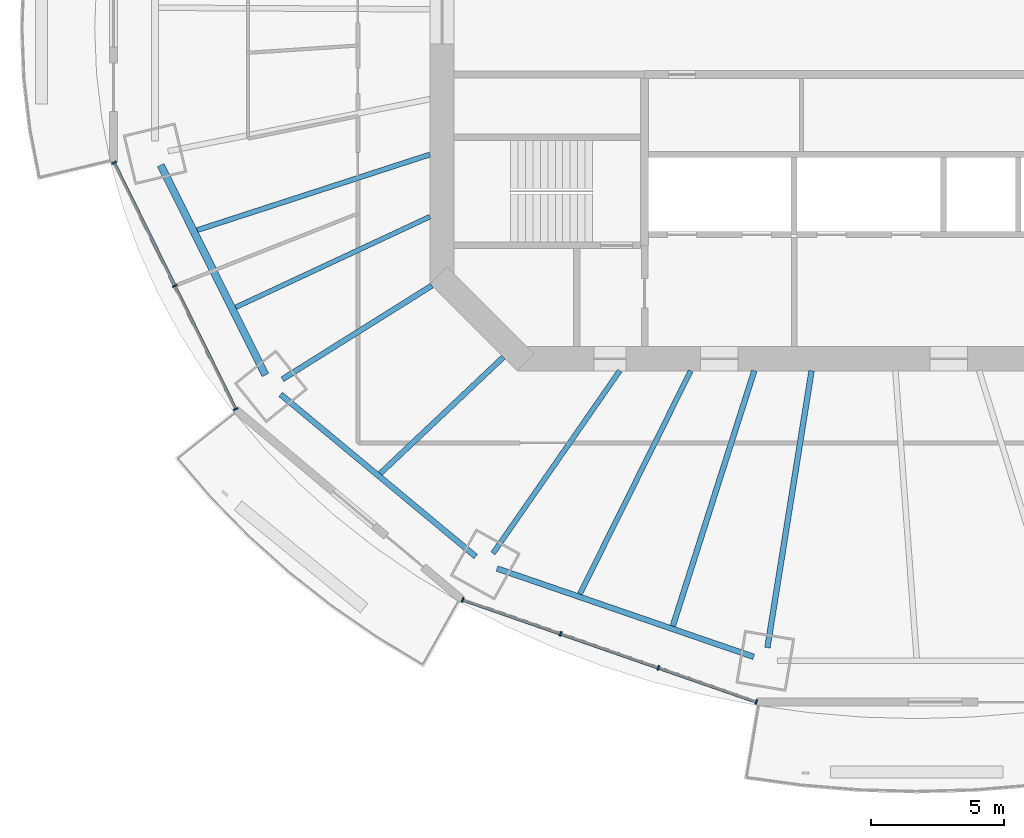
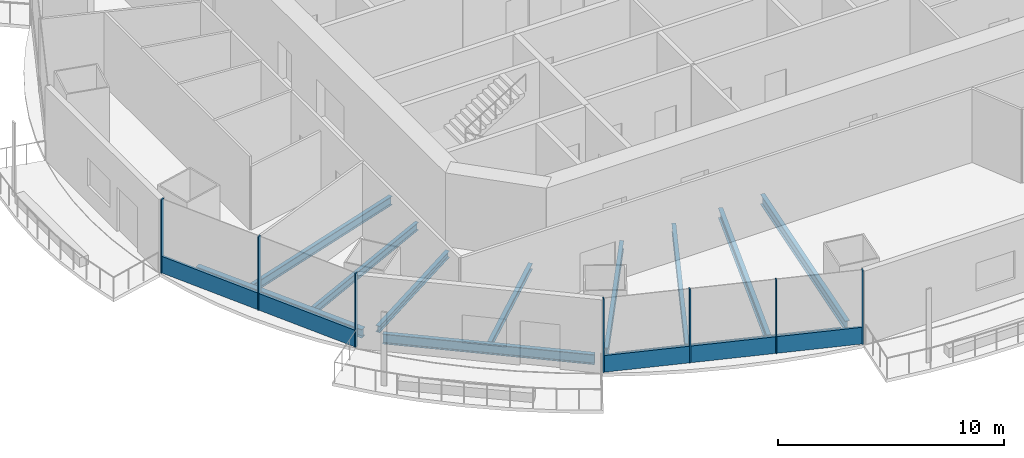
# One storey, part 2 of 19: 11 beams, 9 members, 2 elements without a shape of their own.
"""IFC4 building model written with IfcOpenShell, lengths in metres."""

from ifc_helpers import new_model, si_unit, direction, frame, origin, origin_2d, place, context, subcontext, project, spatial, rectangle, i_section, extrude, material, material_profile, profile_set, type_object, element, aggregate, save


model = new_model("IFC4")

# Units and contexts
model_context = context("Model", 3, precision=1e-05, world=origin(), true_north=direction((0.0, 1.0)))
body_context = subcontext(model_context, "Body", "Model", "MODEL_VIEW")
ifc_project = project(units=[si_unit("LENGTHUNIT", "METRE"), si_unit("AREAUNIT", "SQUARE_METRE"), si_unit("VOLUMEUNIT", "CUBIC_METRE"), si_unit("PLANEANGLEUNIT", "RADIAN"), si_unit("MASSUNIT", "GRAM", prefix="KILO")], contexts=[model_context])

# Site, building, storey
site_placement = place(None, origin())
site = spatial("IfcSite", under=ifc_project, at=site_placement, CompositionType="ELEMENT")
building_placement = place(site_placement, origin())
building = spatial("IfcBuilding", under=site, at=building_placement, Name="Marenthal Gate Tower", CompositionType="ELEMENT")
storey_placement = place(building_placement, frame((0.0, 0.0, 227.449951171875)))
storey = spatial("IfcBuildingStorey", under=building, at=storey_placement, Name="L50", CompositionType="ELEMENT", Elevation=227.449951171875)

# Curtain wall, members
ifc_material_1 = material(Name="Aluminium and glass", Category="aluminium")
curtain_wall_type = type_object("IfcCurtainWallType", Name="Curtain wall typical mid", PredefinedType="NOTDEFINED", material=ifc_material_1)
curtain_wall_1_placement = place(storey_placement, origin())
curtain_wall_1 = element("IfcCurtainWall", 1, at=curtain_wall_1_placement, inside=storey, type_object=curtain_wall_type, Name="Curtain wall L50 bay 9", PredefinedType="NOTDEFINED")
ifc_material_2 = material(Name="Aluminium", Category="aluminium")
ifc_material_profile_1 = material_profile(ifc_material_2, rectangle(XDim=0.179931640625, YDim=0.06005859375, at=origin_2d()), Name="60x180 aluminium mullion")
ifc_profile_set_1 = profile_set([ifc_material_profile_1], Name="Aluminium")
member_type_1 = type_object("IfcMemberType", Name="Mullion 60x180 typical mid", PredefinedType="MULLION", material=ifc_profile_set_1)
member_1_placement = place(storey_placement, frame((-28.284912109375, -5.6533203125, 0.0), z_axis=(0.0, 0.0, 1.0), x_axis=(0.896797507361, 0.442441217329, 0.0)))
member_1 = element("IfcMember", 2, at=member_1_placement, type_object=member_type_1, Name="Mullion L50 bay 9.1", PredefinedType="MULLION", context=body_context, shape_type="SweptSolid", body=[
    extrude(rectangle(XDim=0.179931640625, YDim=0.06005859375, at=origin_2d()), origin(), (0.0, 0.0, 1.0), 3.969970703125),
])
member_2_placement = place(storey_placement, frame((-26.00732421875, -10.2705078125, 0.0), z_axis=(0.0, 0.0, 1.0), x_axis=(0.896797507361, 0.442441217329, 0.0)))
member_2 = element("IfcMember", 3, at=member_2_placement, type_object=member_type_1, Name="Mullion L50 bay 9.2", PredefinedType="MULLION", context=body_context, shape_type="SweptSolid", body=[
    extrude(rectangle(XDim=0.179931640625, YDim=0.06005859375, at=origin_2d()), origin(), (0.0, 0.0, 1.0), 3.969970703125),
])
member_3_placement = place(storey_placement, frame((-23.7294921875, -14.887451171875, 0.0), z_axis=(0.0, 0.0, 1.0), x_axis=(0.896797507361, 0.442441217329, 0.0)))
member_3 = element("IfcMember", 4, at=member_3_placement, type_object=member_type_1, Name="Mullion L50 bay 9.3", PredefinedType="MULLION", context=body_context, shape_type="SweptSolid", body=[
    extrude(rectangle(XDim=0.179931640625, YDim=0.06005859375, at=origin_2d()), origin(), (0.0, 0.0, 1.0), 3.969970703125),
])

curtain_wall_2_placement = place(storey_placement, origin())
curtain_wall_2 = element("IfcCurtainWall", 5, at=curtain_wall_2_placement, inside=storey, type_object=curtain_wall_type, Name="Curtain wall L50 bay 11", PredefinedType="NOTDEFINED")
member_4_placement = place(storey_placement, frame((-15.220947265625, -22.03271484375, 0.0), z_axis=(0.0, 0.0, 1.0), x_axis=(0.328467970612, 0.94451510961, 0.0)))
member_4 = element("IfcMember", 6, at=member_4_placement, type_object=member_type_1, Name="Mullion L50 bay 11.1", PredefinedType="MULLION", context=body_context, shape_type="SweptSolid", body=[
    extrude(rectangle(XDim=0.179931640625, YDim=0.06005859375, at=origin_2d()), origin(), (0.0, 0.0, 1.0), 3.969970703125),
])
member_5_placement = place(storey_placement, frame((-11.552490234375, -23.308349609375, 0.0), z_axis=(0.0, 0.0, 1.0), x_axis=(0.328467970612, 0.94451510961, 0.0)))
member_5 = element("IfcMember", 7, at=member_5_placement, type_object=member_type_1, Name="Mullion L50 bay 11.2", PredefinedType="MULLION", context=body_context, shape_type="SweptSolid", body=[
    extrude(rectangle(XDim=0.179931640625, YDim=0.06005859375, at=origin_2d()), origin(), (0.0, 0.0, 1.0), 3.969970703125),
])
member_6_placement = place(storey_placement, frame((-7.8837890625, -24.584228515625, 0.0), z_axis=(0.0, 0.0, 1.0), x_axis=(0.328467970612, 0.94451510961, 0.0)))
member_6 = element("IfcMember", 8, at=member_6_placement, type_object=member_type_1, Name="Mullion L50 bay 11.3", PredefinedType="MULLION", context=body_context, shape_type="SweptSolid", body=[
    extrude(rectangle(XDim=0.179931640625, YDim=0.06005859375, at=origin_2d()), origin(), (0.0, 0.0, 1.0), 3.969970703125),
])
member_7_placement = place(storey_placement, frame((-4.215087890625, -25.860107421875, 0.0), z_axis=(0.0, 0.0, 1.0), x_axis=(0.328467970612, 0.94451510961, 0.0)))
member_7 = element("IfcMember", 9, at=member_7_placement, type_object=member_type_1, Name="Mullion L50 bay 11.4", PredefinedType="MULLION", context=body_context, shape_type="SweptSolid", body=[
    extrude(rectangle(XDim=0.179931640625, YDim=0.06005859375, at=origin_2d()), origin(), (0.0, 0.0, 1.0), 3.969970703125),
])

# Member
ifc_material_3 = material(Name="Aluminium", Category="aluminium")
ifc_material_profile_2 = material_profile(ifc_material_3, rectangle(XDim=0.1201171875, YDim=0.89990234375, at=origin_2d()), Name="120x900 aluminium transom")
ifc_profile_set_2 = profile_set([ifc_material_profile_2], Name="Aluminium")
member_type_2 = type_object("IfcMemberType", Name="Transom 120x900 typical mid", PredefinedType="USERDEFINED", material=ifc_profile_set_2)
member_8_placement = place(storey_placement, frame((-28.271728515625, -5.680419921875, 0.449951171875), z_axis=(0.442446743058, -0.896794781183, 0.0), x_axis=(0.896794781183, 0.442446743058, 0.0)))
member_8 = element("IfcMember", 10, at=member_8_placement, type_object=member_type_2, Name="Transom L50 bay 9", ObjectType="TRANSOM", PredefinedType="USERDEFINED", context=body_context, shape_type="SweptSolid", body=[
    extrude(rectangle(XDim=0.1201171875, YDim=0.89990234375, at=origin_2d()), origin(), (0.0, 0.0, 1.0), 10.236328125),
])

aggregate(curtain_wall_1, [member_1, member_2, member_3, member_8])

member_9_placement = place(storey_placement, frame((-15.192626953125, -22.04248046875, 0.449951171875), z_axis=(0.944518387827, -0.328458543894, 0.0), x_axis=(0.328458543894, 0.944518387827, 0.0)))
member_9 = element("IfcMember", 11, at=member_9_placement, type_object=member_type_2, Name="Transom L50 bay 11", ObjectType="TRANSOM", PredefinedType="USERDEFINED", context=body_context, shape_type="SweptSolid", body=[
    extrude(rectangle(XDim=0.1201171875, YDim=0.89990234375, at=origin_2d()), origin(), (0.0, 0.0, 1.0), 11.59228515625),
])

aggregate(curtain_wall_2, [member_4, member_5, member_6, member_7, member_9])

# Beams
ifc_material_4 = material(Name="Steel S355", Category="steel")
ifc_material_profile_3 = material_profile(ifc_material_4, i_section(OverallWidth=0.205078125, OverallDepth=0.31005859375, WebThickness=0.009521484375, FlangeThickness=0.016357421875, FilletRadius=0.0126953125, at=origin_2d()), Name="W310X74")
ifc_profile_set_3 = profile_set([ifc_material_profile_3], Name="Steel S355")
beam_type_1 = type_object("IfcBeamType", Name="W310X74 beam", PredefinedType="BEAM", material=ifc_profile_set_3)
beam_1_placement = place(storey_placement, frame((-18.309326171875, -17.299560546875, -0.3349609375), z_axis=(0.726862728437, 0.686782770612, 0.0), x_axis=(-0.686782770612, 0.726862728437, 0.0)))
element("IfcBeam", 12, at=beam_1_placement, inside=storey, type_object=beam_type_1, Name="BM-L50-31", PredefinedType="BEAM", context=body_context, shape_type="SweptSolid", body=[
    extrude(i_section(OverallWidth=0.205078125, OverallDepth=0.31005859375, WebThickness=0.009521484375, FlangeThickness=0.016357421875, FilletRadius=0.0126953125, at=origin_2d()), origin(), (0.0, 0.0, 1.0), 6.34716796875),
])
ifc_material_5 = material(Name="Steel S355", Category="steel")
ifc_material_profile_4 = material_profile(ifc_material_5, i_section(OverallWidth=0.205078125, OverallDepth=0.35302734375, WebThickness=0.009521484375, FlangeThickness=0.016845703125, FilletRadius=0.014892578125, at=origin_2d()), Name="W360X79")
ifc_profile_set_4 = profile_set([ifc_material_profile_4], Name="Steel S355")
beam_type_2 = type_object("IfcBeamType", Name="W360X79 beam", PredefinedType="BEAM", material=ifc_profile_set_4)
beam_2_placement = place(storey_placement, frame((-21.972900390625, -13.767333984375, -0.3564453125), z_axis=(0.847401773797, 0.530952195368, 0.0), x_axis=(-0.530952195368, 0.847401773797, 0.0)))
element("IfcBeam", 13, at=beam_2_placement, inside=storey, type_object=beam_type_2, Name="BM-L50-10", PredefinedType="BEAM", context=body_context, shape_type="SweptSolid", body=[
    extrude(i_section(OverallWidth=0.205078125, OverallDepth=0.35302734375, WebThickness=0.009521484375, FlangeThickness=0.016845703125, FilletRadius=0.014892578125, at=origin_2d()), origin(), (0.0, 0.0, 1.0), 6.604736328125),
])
ifc_material_6 = material(Name="Steel S355", Category="steel")
ifc_material_profile_5 = material_profile(ifc_material_6, i_section(OverallWidth=0.180908203125, OverallDepth=0.4169921875, WebThickness=0.010986328125, FlangeThickness=0.018310546875, FilletRadius=0.01025390625, at=origin_2d()), Name="W410X85")
ifc_profile_set_5 = profile_set([ifc_material_profile_5], Name="Steel S355")
beam_type_3 = type_object("IfcBeamType", Name="W410X85 beam", PredefinedType="BEAM", material=ifc_profile_set_5)
beam_3_placement = place(storey_placement, frame((-23.724609375, -11.0712890625, -0.388427734375), z_axis=(0.906186247766, 0.422878805759, 0.0), x_axis=(-0.422878805759, 0.906186247766, 0.0)))
element("IfcBeam", 14, at=beam_3_placement, inside=storey, type_object=beam_type_3, Name="BM-L50-30", PredefinedType="BEAM", context=body_context, shape_type="SweptSolid", body=[
    extrude(i_section(OverallWidth=0.180908203125, OverallDepth=0.4169921875, WebThickness=0.010986328125, FlangeThickness=0.018310546875, FilletRadius=0.01025390625, at=origin_2d()), origin(), (0.0, 0.0, 1.0), 8.02783203125),
])
ifc_material_7 = material(Name="Steel S355", Category="steel")
ifc_material_profile_6 = material_profile(ifc_material_7, i_section(OverallWidth=0.279052734375, OverallDepth=0.4619140625, WebThickness=0.0107421875, FlangeThickness=0.017333984375, FilletRadius=0.010009765625, at=origin_2d()), Name="W460X113")
ifc_profile_set_6 = profile_set([ifc_material_profile_6], Name="Steel S355")
beam_type_4 = type_object("IfcBeamType", Name="W460X113 beam", PredefinedType="BEAM", material=ifc_profile_set_6)
beam_4_placement = place(storey_placement, frame((-26.53662109375, -5.743408203125, -0.410888671875), z_axis=(0.446158339693, -0.894954041235, 0.0), x_axis=(0.894954041235, 0.446158339693, 0.0)))
element("IfcBeam", 15, at=beam_4_placement, inside=storey, type_object=beam_type_4, Name="BM-L50-49", PredefinedType="BEAM", context=body_context, shape_type="SweptSolid", body=[
    extrude(i_section(OverallWidth=0.279052734375, OverallDepth=0.4619140625, WebThickness=0.0107421875, FlangeThickness=0.017333984375, FilletRadius=0.010009765625, at=origin_2d()), origin(), (0.0, 0.0, 1.0), 8.794189453125),
])
ifc_material_8 = material(Name="Steel S355", Category="steel")
ifc_material_profile_7 = material_profile(ifc_material_8, i_section(OverallWidth=0.193115234375, OverallDepth=0.467041015625, WebThickness=0.011474609375, FlangeThickness=0.01904296875, FilletRadius=0.010009765625, at=origin_2d()), Name="W460X97")
ifc_profile_set_7 = profile_set([ifc_material_profile_7], Name="Steel S355")
beam_type_5 = type_object("IfcBeamType", Name="W460X97 beam", PredefinedType="BEAM", material=ifc_profile_set_7)
beam_5_placement = place(storey_placement, frame((-14.08349609375, -20.294189453125, -0.413330078125), z_axis=(0.57011788142, 0.8215629016, 0.0), x_axis=(-0.8215629016, 0.57011788142, 0.0)))
element("IfcBeam", 16, at=beam_5_placement, inside=storey, type_object=beam_type_5, Name="BM-L50-11", PredefinedType="BEAM", context=body_context, shape_type="SweptSolid", body=[
    extrude(i_section(OverallWidth=0.193115234375, OverallDepth=0.467041015625, WebThickness=0.011474609375, FlangeThickness=0.01904296875, FilletRadius=0.010009765625, at=origin_2d()), origin(), (0.0, 0.0, 1.0), 8.330810546875),
])
beam_6_placement = place(storey_placement, frame((-25.165771484375, -8.180908203125, -0.413330078125), z_axis=(0.951006658156, 0.309170399848, 0.0), x_axis=(-0.309170399848, 0.951006658156, 0.0)))
element("IfcBeam", 17, at=beam_6_placement, inside=storey, type_object=beam_type_5, Name="BM-L50-29", PredefinedType="BEAM", context=body_context, shape_type="SweptSolid", body=[
    extrude(i_section(OverallWidth=0.193115234375, OverallDepth=0.467041015625, WebThickness=0.011474609375, FlangeThickness=0.01904296875, FilletRadius=0.010009765625, at=origin_2d()), origin(), (0.0, 0.0, 1.0), 9.164794921875),
])
beam_7_placement = place(storey_placement, frame((-10.826416015625, -21.817138671875, -0.413330078125), z_axis=(0.444514209815, 0.895771799775, 0.0), x_axis=(-0.895771799775, 0.444514209815, 0.0)))
element("IfcBeam", 18, at=beam_7_placement, inside=storey, type_object=beam_type_5, Name="BM-L50-32", PredefinedType="BEAM", context=body_context, shape_type="SweptSolid", body=[
    extrude(i_section(OverallWidth=0.193115234375, OverallDepth=0.467041015625, WebThickness=0.011474609375, FlangeThickness=0.01904296875, FilletRadius=0.010009765625, at=origin_2d()), origin(), (0.0, 0.0, 1.0), 9.3408203125),
])
ifc_material_9 = material(Name="Steel S355", Category="steel")
ifc_material_profile_8 = material_profile(ifc_material_9, i_section(OverallWidth=0.2099609375, OverallDepth=0.535888671875, WebThickness=0.010986328125, FlangeThickness=0.017333984375, FilletRadius=0.0126953125, at=origin_2d()), Name="W530X101")
ifc_profile_set_8 = profile_set([ifc_material_profile_8], Name="Steel S355")
beam_type_6 = type_object("IfcBeamType", Name="W530X101 beam", PredefinedType="BEAM", material=ifc_profile_set_8)
beam_8_placement = place(storey_placement, frame((-7.343994140625, -23.015380859375, -0.447998046875), z_axis=(0.303990403849, 0.952675093811, 0.0), x_axis=(-0.952675093811, 0.303990403849, 0.0)))
element("IfcBeam", 19, at=beam_8_placement, inside=storey, type_object=beam_type_6, Name="BM-L50-33", PredefinedType="BEAM", context=body_context, shape_type="SweptSolid", body=[
    extrude(i_section(OverallWidth=0.2099609375, OverallDepth=0.535888671875, WebThickness=0.010986328125, FlangeThickness=0.017333984375, FilletRadius=0.0126953125, at=origin_2d()), origin(), (0.0, 0.0, 1.0), 10.04052734375),
])
ifc_material_10 = material(Name="Steel S355", Category="steel")
ifc_material_profile_9 = material_profile(ifc_material_10, i_section(OverallWidth=0.2119140625, OverallDepth=0.5439453125, WebThickness=0.01318359375, FlangeThickness=0.021240234375, FilletRadius=0.0126953125, at=origin_2d()), Name="W530X123")
ifc_profile_set_9 = profile_set([ifc_material_profile_9], Name="Steel S355")
beam_type_7 = type_object("IfcBeamType", Name="W530X123 beam", PredefinedType="BEAM", material=ifc_profile_set_9)
beam_9_placement = place(storey_placement, frame((-3.800048828125, -23.82666015625, -0.451904296875), z_axis=(0.157503870989, 0.987518369765, 0.0), x_axis=(-0.987518369765, 0.157503870989, 0.0)))
element("IfcBeam", 20, at=beam_9_placement, inside=storey, type_object=beam_type_7, Name="BM-L50-12", PredefinedType="BEAM", context=body_context, shape_type="SweptSolid", body=[
    extrude(i_section(OverallWidth=0.2119140625, OverallDepth=0.5439453125, WebThickness=0.01318359375, FlangeThickness=0.021240234375, FilletRadius=0.0126953125, at=origin_2d()), origin(), (0.0, 0.0, 1.0), 10.5078125),
])
beam_10_placement = place(storey_placement, frame((-22.04150390625, -14.33642578125, -0.451904296875), z_axis=(0.769155216777, -0.639062009906, 0.0), x_axis=(0.639062009906, 0.769155216777, 0.0)))
element("IfcBeam", 21, at=beam_10_placement, inside=storey, type_object=beam_type_7, Name="BM-L50-50", PredefinedType="BEAM", context=body_context, shape_type="SweptSolid", body=[
    extrude(i_section(OverallWidth=0.2119140625, OverallDepth=0.5439453125, WebThickness=0.01318359375, FlangeThickness=0.021240234375, FilletRadius=0.0126953125, at=origin_2d()), origin(), (0.0, 0.0, 1.0), 9.50537109375),
])
beam_11_placement = place(storey_placement, frame((-13.931884765625, -20.8603515625, -0.451904296875), z_axis=(0.945567746604, -0.325425316443, 0.0), x_axis=(0.325425316443, 0.945567746604, 0.0)))
element("IfcBeam", 22, at=beam_11_placement, inside=storey, type_object=beam_type_7, Name="BM-L50-51", PredefinedType="BEAM", context=body_context, shape_type="SweptSolid", body=[
    extrude(i_section(OverallWidth=0.2119140625, OverallDepth=0.5439453125, WebThickness=0.01318359375, FlangeThickness=0.021240234375, FilletRadius=0.0126953125, at=origin_2d()), origin(), (0.0, 0.0, 1.0), 10.16845703125),
])

save(model, "model.ifc")
